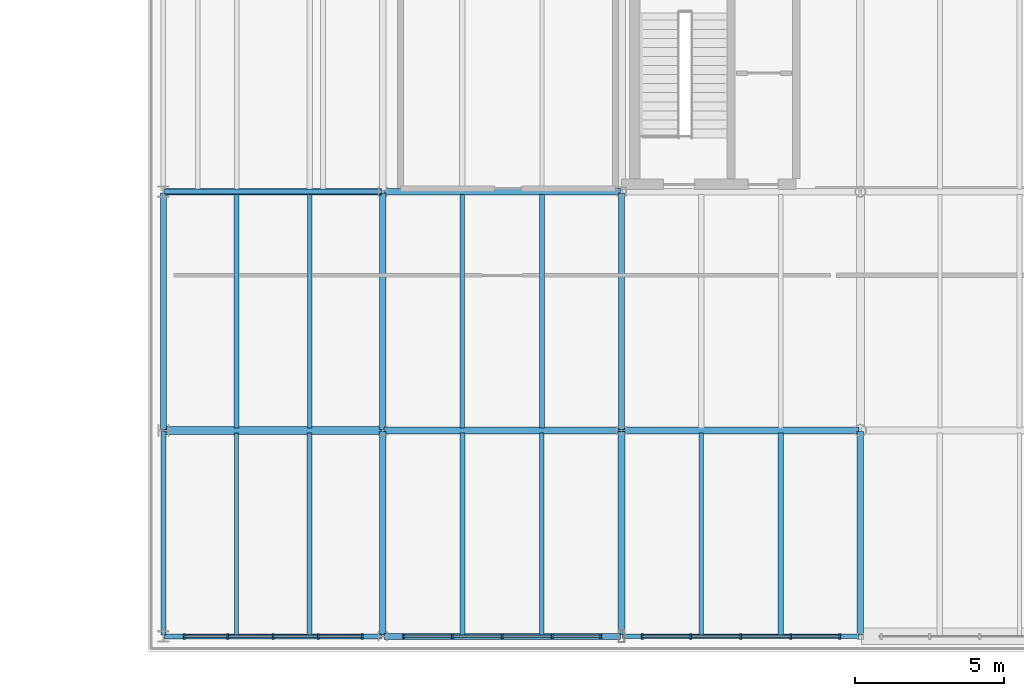
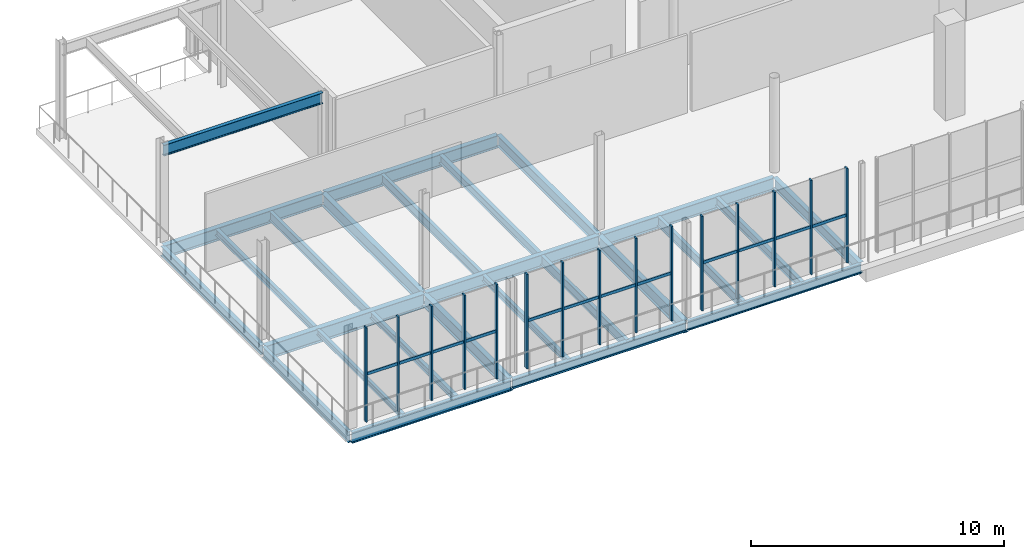
# One storey, part 29 of 70: 27 members, 26 beams, 3 elements without a shape of their own.
"""IFC4 building model written with IfcOpenShell, lengths in metres."""

from ifc_helpers import new_model, si_unit, direction, frame, origin, origin_2d, place, context, subcontext, project, spatial, rectangle, i_section, extrude, material, material_profile, profile_set, type_object, element, aggregate, save


model = new_model("IFC4")

# Units and contexts
model_context = context("Model", 3, precision=1e-05, world=origin(), true_north=direction((0.0, 1.0)))
body_context = subcontext(model_context, "Body", "Model", "MODEL_VIEW")
ifc_project = project(units=[si_unit("LENGTHUNIT", "METRE"), si_unit("AREAUNIT", "SQUARE_METRE"), si_unit("VOLUMEUNIT", "CUBIC_METRE"), si_unit("PLANEANGLEUNIT", "RADIAN"), si_unit("MASSUNIT", "GRAM", prefix="KILO")], contexts=[model_context])

# Site, building, storey
site_placement = place(None, origin())
site = spatial("IfcSite", under=ifc_project, at=site_placement, CompositionType="ELEMENT")
building_placement = place(site_placement, origin())
building = spatial("IfcBuilding", under=site, at=building_placement, Name="Brisemont Oceanarium", CompositionType="ELEMENT")
storey_placement = place(building_placement, frame((0.0, 0.0, 10.199951171875)))
storey = spatial("IfcBuildingStorey", under=building, at=storey_placement, Name="L02", CompositionType="ELEMENT", Elevation=10.199951171875)

# Beams
ifc_material_1 = material(Name="Structural Steel ASTM A992 Gr.50", Category="steel")
ifc_material_profile_1 = material_profile(ifc_material_1, i_section(OverallWidth=0.14599609375, OverallDepth=0.259033203125, WebThickness=0.006103515625, FlangeThickness=0.009033203125, FilletRadius=0.008056640625, at=origin_2d()), Name="W10X22")
ifc_profile_set_1 = profile_set([ifc_material_profile_1], Name="Structural Steel ASTM A992 Gr.50")
beam_type_1 = type_object("IfcBeamType", Name="BM-W10X22", PredefinedType="LINTEL", material=ifc_profile_set_1)
beam_1_placement = place(storey_placement, frame((115.10009765625, 1.139892578125, -0.409423828125), z_axis=(0.0, 1.0, 0.0), x_axis=(-1.0, 0.0, 0.0)))
element("IfcBeam", 1, at=beam_1_placement, inside=storey, type_object=beam_type_1, Name="V3 L02 secondary floor beam", PredefinedType="LINTEL", context=body_context, shape_type="SweptSolid", body=[
    extrude(i_section(OverallWidth=0.14599609375, OverallDepth=0.259033203125, WebThickness=0.006103515625, FlangeThickness=0.009033203125, FilletRadius=0.008056640625, at=origin_2d()), origin(), (0.0, 0.0, 1.0), 6.77001953125),
])
ifc_material_2 = material(Name="Structural Steel ASTM A992 Gr.50", Category="steel")
ifc_material_profile_2 = material_profile(ifc_material_2, i_section(OverallWidth=0.1650390625, OverallDepth=0.31005859375, WebThickness=0.005859375, FlangeThickness=0.009765625, FilletRadius=0.008056640625, at=origin_2d()), Name="W12X26")
ifc_profile_set_2 = profile_set([ifc_material_profile_2], Name="Structural Steel ASTM A992 Gr.50")
beam_type_2 = type_object("IfcBeamType", Name="BM-W12X26", PredefinedType="JOIST", material=ifc_profile_set_2)
beam_2_placement = place(storey_placement, frame((117.550048828125, 1.139892578125, -0.43505859375), z_axis=(0.0, 1.0, 0.0), x_axis=(-1.0, 0.0, 0.0)))
element("IfcBeam", 2, at=beam_2_placement, inside=storey, type_object=beam_type_2, Name="V3 L02 secondary floor beam", PredefinedType="JOIST", context=body_context, shape_type="SweptSolid", body=[
    extrude(i_section(OverallWidth=0.1650390625, OverallDepth=0.31005859375, WebThickness=0.005859375, FlangeThickness=0.009765625, FilletRadius=0.008056640625, at=origin_2d()), origin(), (0.0, 0.0, 1.0), 6.77001953125),
])
beam_3_placement = place(storey_placement, frame((115.10009765625, 8.090087890625, -0.43505859375), z_axis=(0.0, 1.0, 0.0), x_axis=(-1.0, 0.0, 0.0)))
element("IfcBeam", 3, at=beam_3_placement, inside=storey, type_object=beam_type_2, Name="V3 L02 secondary floor beam", PredefinedType="JOIST", context=body_context, shape_type="SweptSolid", body=[
    extrude(i_section(OverallWidth=0.1650390625, OverallDepth=0.31005859375, WebThickness=0.005859375, FlangeThickness=0.009765625, FilletRadius=0.008056640625, at=origin_2d()), origin(), (0.0, 0.0, 1.0), 7.81982421875),
])
beam_4_placement = place(storey_placement, frame((122.666748046875, 1.139892578125, -0.43505859375), z_axis=(0.0, 1.0, 0.0), x_axis=(-1.0, 0.0, 0.0)))
element("IfcBeam", 4, at=beam_4_placement, inside=storey, type_object=beam_type_2, Name="V3 L02 secondary floor beam", PredefinedType="JOIST", context=body_context, shape_type="SweptSolid", body=[
    extrude(i_section(OverallWidth=0.1650390625, OverallDepth=0.31005859375, WebThickness=0.005859375, FlangeThickness=0.009765625, FilletRadius=0.008056640625, at=origin_2d()), origin(), (0.0, 0.0, 1.0), 6.77001953125),
])
ifc_material_3 = material(Name="Structural Steel ASTM A992 Gr.50", Category="steel")
ifc_material_profile_3 = material_profile(ifc_material_3, i_section(OverallWidth=0.177978515625, OverallDepth=0.404052734375, WebThickness=0.007568359375, FlangeThickness=0.010986328125, FilletRadius=0.010009765625, at=origin_2d()), Name="W16X36")
ifc_profile_set_3 = profile_set([ifc_material_profile_3], Name="Structural Steel ASTM A992 Gr.50")
beam_type_3 = type_object("IfcBeamType", Name="BM-W16X36", PredefinedType="JOIST", material=ifc_profile_set_3)
beam_5_placement = place(storey_placement, frame((125.333251953125, 8.090087890625, -0.48193359375), z_axis=(0.0, 1.0, 0.0), x_axis=(-1.0, 0.0, 0.0)))
element("IfcBeam", 5, at=beam_5_placement, inside=storey, type_object=beam_type_3, Name="V3 L02 secondary floor beam", PredefinedType="JOIST", context=body_context, shape_type="SweptSolid", body=[
    extrude(i_section(OverallWidth=0.177978515625, OverallDepth=0.404052734375, WebThickness=0.007568359375, FlangeThickness=0.010986328125, FilletRadius=0.010009765625, at=origin_2d()), origin(), (0.0, 0.0, 1.0), 7.81982421875),
])
beam_6_placement = place(storey_placement, frame((133.333251953125, 1.139892578125, -0.48193359375), z_axis=(0.0, 1.0, 0.0), x_axis=(-1.0, 0.0, 0.0)))
element("IfcBeam", 6, at=beam_6_placement, inside=storey, type_object=beam_type_3, Name="V3 L02 secondary floor beam", PredefinedType="JOIST", context=body_context, shape_type="SweptSolid", body=[
    extrude(i_section(OverallWidth=0.177978515625, OverallDepth=0.404052734375, WebThickness=0.007568359375, FlangeThickness=0.010986328125, FilletRadius=0.010009765625, at=origin_2d()), origin(), (0.0, 0.0, 1.0), 6.77001953125),
])
ifc_material_4 = material(Name="Structural Steel ASTM A992 Gr.50", Category="steel")
ifc_material_profile_4 = material_profile(ifc_material_4, i_section(OverallWidth=0.153076171875, OverallDepth=0.455078125, WebThickness=0.008056640625, FlangeThickness=0.01318359375, FilletRadius=0.010986328125, at=origin_2d()), Name="W18X40")
ifc_profile_set_4 = profile_set([ifc_material_profile_4], Name="Structural Steel ASTM A992 Gr.50")
beam_type_4 = type_object("IfcBeamType", Name="BM-W18X40", PredefinedType="JOIST", material=ifc_profile_set_4)
beam_7_placement = place(storey_placement, frame((117.550048828125, 8.090087890625, -0.507568359375), z_axis=(0.0, 1.0, 0.0), x_axis=(-1.0, 0.0, 0.0)))
element("IfcBeam", 7, at=beam_7_placement, inside=storey, type_object=beam_type_4, Name="V3 L02 secondary floor beam", PredefinedType="JOIST", context=body_context, shape_type="SweptSolid", body=[
    extrude(i_section(OverallWidth=0.153076171875, OverallDepth=0.455078125, WebThickness=0.008056640625, FlangeThickness=0.01318359375, FilletRadius=0.010986328125, at=origin_2d()), origin(), (0.0, 0.0, 1.0), 7.81982421875),
])
beam_8_placement = place(storey_placement, frame((125.333251953125, 1.139892578125, -0.507568359375), z_axis=(0.0, 1.0, 0.0), x_axis=(-1.0, 0.0, 0.0)))
element("IfcBeam", 8, at=beam_8_placement, inside=storey, type_object=beam_type_4, Name="V3 L02 secondary floor beam", PredefinedType="JOIST", context=body_context, shape_type="SweptSolid", body=[
    extrude(i_section(OverallWidth=0.153076171875, OverallDepth=0.455078125, WebThickness=0.008056640625, FlangeThickness=0.01318359375, FilletRadius=0.010986328125, at=origin_2d()), origin(), (0.0, 0.0, 1.0), 6.77001953125),
])
beam_9_placement = place(storey_placement, frame((122.666748046875, 8.090087890625, -0.507568359375), z_axis=(0.0, 1.0, 0.0), x_axis=(-1.0, 0.0, 0.0)))
element("IfcBeam", 9, at=beam_9_placement, inside=storey, type_object=beam_type_4, Name="V3 L02 secondary floor beam", PredefinedType="JOIST", context=body_context, shape_type="SweptSolid", body=[
    extrude(i_section(OverallWidth=0.153076171875, OverallDepth=0.455078125, WebThickness=0.008056640625, FlangeThickness=0.01318359375, FilletRadius=0.010986328125, at=origin_2d()), origin(), (0.0, 0.0, 1.0), 7.81982421875),
])
beam_10_placement = place(storey_placement, frame((130.666748046875, 1.139892578125, -0.507568359375), z_axis=(0.0, 1.0, 0.0), x_axis=(-1.0, 0.0, 0.0)))
element("IfcBeam", 10, at=beam_10_placement, inside=storey, type_object=beam_type_4, Name="V3 L02 secondary floor beam", PredefinedType="JOIST", context=body_context, shape_type="SweptSolid", body=[
    extrude(i_section(OverallWidth=0.153076171875, OverallDepth=0.455078125, WebThickness=0.008056640625, FlangeThickness=0.01318359375, FilletRadius=0.010986328125, at=origin_2d()), origin(), (0.0, 0.0, 1.0), 6.77001953125),
])
ifc_material_5 = material(Name="Structural Steel ASTM A992 Gr.50", Category="steel")
ifc_material_profile_5 = material_profile(ifc_material_5, i_section(OverallWidth=0.154052734375, OverallDepth=0.458984375, WebThickness=0.009033203125, FlangeThickness=0.015380859375, FilletRadius=0.010986328125, at=origin_2d()), Name="W18X46")
ifc_profile_set_5 = profile_set([ifc_material_profile_5], Name="Structural Steel ASTM A992 Gr.50")
beam_type_5 = type_object("IfcBeamType", Name="BM-W18X46", PredefinedType="SPANDREL", material=ifc_profile_set_5)
beam_11_placement = place(storey_placement, frame((128.0400390625, 1.10009765625, -0.509521484375), z_axis=(1.0, 0.0, 0.0), x_axis=(0.0, 1.0, 0.0)))
element("IfcBeam", 11, at=beam_11_placement, inside=storey, type_object=beam_type_5, Name="V3 L02 EW girder", PredefinedType="SPANDREL", context=body_context, shape_type="SweptSolid", body=[
    extrude(i_section(OverallWidth=0.154052734375, OverallDepth=0.458984375, WebThickness=0.009033203125, FlangeThickness=0.015380859375, FilletRadius=0.010986328125, at=origin_2d()), origin(), (0.0, 0.0, 1.0), 7.919921875),
])
ifc_material_6 = material(Name="Structural Steel ASTM A992 Gr.50", Category="steel")
ifc_material_profile_6 = material_profile(ifc_material_6, i_section(OverallWidth=0.19091796875, OverallDepth=0.4599609375, WebThickness=0.010009765625, FlangeThickness=0.01611328125, FilletRadius=0.010986328125, at=origin_2d()), Name="W18X55")
ifc_profile_set_6 = profile_set([ifc_material_profile_6], Name="Structural Steel ASTM A992 Gr.50")
beam_type_6 = type_object("IfcBeamType", Name="BM-W18X55", PredefinedType="SPANDREL", material=ifc_profile_set_6)
for number, where, z_axis, x_axis, name in (
    (12, (120.0400390625, 1.10009765625, -0.510009765625), (1.0, 0.0, 0.0), (0.0, 1.0, 0.0), "V3 L02 EW girder"),
    (13, (112.64990234375, 8.0400390625, -0.510009765625), (0.0, 1.0, 0.0), (-1.0, 0.0, 0.0), "V3 L02 NS girder"),
):
    element("IfcBeam", number, at=place(storey_placement, frame(where, z_axis=z_axis, x_axis=x_axis)), inside=storey, type_object=beam_type_6, Name=name, PredefinedType="SPANDREL", context=body_context, shape_type="SweptSolid", body=[
        extrude(i_section(OverallWidth=0.19091796875, OverallDepth=0.4599609375, WebThickness=0.010009765625, FlangeThickness=0.01611328125, FilletRadius=0.010986328125, at=origin_2d()), origin(), (0.0, 0.0, 1.0), 7.919921875),
    ])
ifc_material_7 = material(Name="Structural Steel ASTM A992 Gr.50", Category="steel")
ifc_material_profile_7 = material_profile(ifc_material_7, i_section(OverallWidth=0.166015625, OverallDepth=0.528076171875, WebThickness=0.009765625, FlangeThickness=0.013671875, FilletRadius=0.012939453125, at=origin_2d()), Name="W21X50")
ifc_profile_set_7 = profile_set([ifc_material_profile_7], Name="Structural Steel ASTM A992 Gr.50")
beam_type_7 = type_object("IfcBeamType", Name="BM-W21X50", PredefinedType="SPANDREL", material=ifc_profile_set_7)
beam_12_placement = place(storey_placement, frame((112.68994140625, 1.10009765625, -0.5439453125), z_axis=(1.0, 0.0, 0.0), x_axis=(0.0, 1.0, 0.0)))
element("IfcBeam", 14, at=beam_12_placement, inside=storey, type_object=beam_type_7, Name="V3 L02 EW girder", PredefinedType="SPANDREL", context=body_context, shape_type="SweptSolid", body=[
    extrude(i_section(OverallWidth=0.166015625, OverallDepth=0.528076171875, WebThickness=0.009765625, FlangeThickness=0.013671875, FilletRadius=0.012939453125, at=origin_2d()), origin(), (0.0, 0.0, 1.0), 7.27001953125),
])
beam_13_placement = place(storey_placement, frame((112.64990234375, 1.139892578125, -0.5439453125), z_axis=(0.0, 1.0, 0.0), x_axis=(-1.0, 0.0, 0.0)))
element("IfcBeam", 15, at=beam_13_placement, inside=storey, type_object=beam_type_7, Name="V3 L02 NS girder", PredefinedType="SPANDREL", context=body_context, shape_type="SweptSolid", body=[
    extrude(i_section(OverallWidth=0.166015625, OverallDepth=0.528076171875, WebThickness=0.009765625, FlangeThickness=0.013671875, FilletRadius=0.012939453125, at=origin_2d()), origin(), (0.0, 0.0, 1.0), 6.820068359375),
])
beam_14_placement = place(storey_placement, frame((112.68994140625, 16.0, 4.296142578125), z_axis=(1.0, 0.0, 0.0), x_axis=(0.0, 1.0, 0.0)))
element("IfcBeam", 16, at=beam_14_placement, inside=storey, type_object=beam_type_7, Name="Skylight roof support girder 4", PredefinedType="SPANDREL", context=body_context, shape_type="SweptSolid", body=[
    extrude(i_section(OverallWidth=0.166015625, OverallDepth=0.528076171875, WebThickness=0.009765625, FlangeThickness=0.013671875, FilletRadius=0.012939453125, at=origin_2d()), origin(), (0.0, 0.0, 1.0), 7.27001953125),
])
ifc_material_8 = material(Name="Structural Steel ASTM A992 Gr.50", Category="steel")
ifc_material_profile_8 = material_profile(ifc_material_8, i_section(OverallWidth=0.2099609375, OverallDepth=0.532958984375, WebThickness=0.01025390625, FlangeThickness=0.015625, FilletRadius=0.012939453125, at=origin_2d()), Name="W21X62")
ifc_profile_set_8 = profile_set([ifc_material_profile_8], Name="Structural Steel ASTM A992 Gr.50")
beam_type_8 = type_object("IfcBeamType", Name="BM-W21X62", PredefinedType="BEAM", material=ifc_profile_set_8)
beam_15_placement = place(storey_placement, frame((128.0, 8.0400390625, -0.54638671875), z_axis=(0.0, 1.0, 0.0), x_axis=(-1.0, 0.0, 0.0)))
element("IfcBeam", 17, at=beam_15_placement, inside=storey, type_object=beam_type_8, Name="V3 L02 NS girder", PredefinedType="BEAM", context=body_context, shape_type="SweptSolid", body=[
    extrude(i_section(OverallWidth=0.2099609375, OverallDepth=0.532958984375, WebThickness=0.01025390625, FlangeThickness=0.015625, FilletRadius=0.012939453125, at=origin_2d()), origin(), (0.0, 0.0, 1.0), 7.919921875),
])
beam_16_placement = place(storey_placement, frame((136.0, 1.139892578125, -0.54638671875), z_axis=(0.0, 1.0, 0.0), x_axis=(-1.0, 0.0, 0.0)))
element("IfcBeam", 18, at=beam_16_placement, inside=storey, type_object=beam_type_8, Name="V3 L02 NS girder", PredefinedType="BEAM", context=body_context, shape_type="SweptSolid", body=[
    extrude(i_section(OverallWidth=0.2099609375, OverallDepth=0.532958984375, WebThickness=0.01025390625, FlangeThickness=0.015625, FilletRadius=0.012939453125, at=origin_2d()), origin(), (0.0, 0.0, 1.0), 6.820068359375),
])
ifc_material_9 = material(Name="Structural Steel ASTM A992 Gr.50", Category="steel")
ifc_material_profile_9 = material_profile(ifc_material_9, i_section(OverallWidth=0.22802734375, OverallDepth=0.60205078125, WebThickness=0.010498046875, FlangeThickness=0.014892578125, FilletRadius=0.012939453125, at=origin_2d()), Name="W24X68")
ifc_profile_set_9 = profile_set([ifc_material_profile_9], Name="Structural Steel ASTM A992 Gr.50")
beam_type_9 = type_object("IfcBeamType", Name="BM-W24X68", PredefinedType="BEAM", material=ifc_profile_set_9)
beam_17_placement = place(storey_placement, frame((120.0, 8.0400390625, -0.5810546875), z_axis=(0.0, 1.0, 0.0), x_axis=(-1.0, 0.0, 0.0)))
element("IfcBeam", 19, at=beam_17_placement, inside=storey, type_object=beam_type_9, Name="V3 L02 NS girder", PredefinedType="BEAM", context=body_context, shape_type="SweptSolid", body=[
    extrude(i_section(OverallWidth=0.22802734375, OverallDepth=0.60205078125, WebThickness=0.010498046875, FlangeThickness=0.014892578125, FilletRadius=0.012939453125, at=origin_2d()), origin(), (0.0, 0.0, 1.0), 7.919921875),
])
beam_18_placement = place(storey_placement, frame((128.0, 1.139892578125, -0.5810546875), z_axis=(0.0, 1.0, 0.0), x_axis=(-1.0, 0.0, 0.0)))
element("IfcBeam", 20, at=beam_18_placement, inside=storey, type_object=beam_type_9, Name="V3 L02 NS girder", PredefinedType="BEAM", context=body_context, shape_type="SweptSolid", body=[
    extrude(i_section(OverallWidth=0.22802734375, OverallDepth=0.60205078125, WebThickness=0.010498046875, FlangeThickness=0.014892578125, FilletRadius=0.012939453125, at=origin_2d()), origin(), (0.0, 0.0, 1.0), 6.820068359375),
])
ifc_material_10 = material(Name="Structural Steel ASTM A992 Gr.50", Category="steel")
ifc_material_profile_10 = material_profile(ifc_material_10, i_section(OverallWidth=0.22802734375, OverallDepth=0.60791015625, WebThickness=0.01123046875, FlangeThickness=0.017333984375, FilletRadius=0.012939453125, at=origin_2d()), Name="W24X76")
ifc_profile_set_10 = profile_set([ifc_material_profile_10], Name="Structural Steel ASTM A992 Gr.50")
beam_type_10 = type_object("IfcBeamType", Name="BM-W24X76", PredefinedType="BEAM", material=ifc_profile_set_10)
for number, where, z_axis, x_axis, name in (
    (21, (128.0400390625, 8.0, -0.583984375), (1.0, 0.0, 0.0), (0.0, 1.0, 0.0), "V3 L02 EW girder"),
    (22, (120.0400390625, 16.0, -0.583984375), (1.0, 0.0, 0.0), (0.0, 1.0, 0.0), "V3 L02 EW girder"),
):
    element("IfcBeam", number, at=place(storey_placement, frame(where, z_axis=z_axis, x_axis=x_axis)), inside=storey, type_object=beam_type_10, Name=name, PredefinedType="BEAM", context=body_context, shape_type="SweptSolid", body=[
        extrude(i_section(OverallWidth=0.22802734375, OverallDepth=0.60791015625, WebThickness=0.01123046875, FlangeThickness=0.017333984375, FilletRadius=0.012939453125, at=origin_2d()), origin(), (0.0, 0.0, 1.0), 7.919921875),
    ])
beam_19_placement = place(storey_placement, frame((120.0, 1.139892578125, -0.583984375), z_axis=(0.0, 1.0, 0.0), x_axis=(-1.0, 0.0, 0.0)))
element("IfcBeam", 23, at=beam_19_placement, inside=storey, type_object=beam_type_10, Name="V3 L02 NS girder", PredefinedType="BEAM", context=body_context, shape_type="SweptSolid", body=[
    extrude(i_section(OverallWidth=0.22802734375, OverallDepth=0.60791015625, WebThickness=0.01123046875, FlangeThickness=0.017333984375, FilletRadius=0.012939453125, at=origin_2d()), origin(), (0.0, 0.0, 1.0), 6.820068359375),
])
ifc_material_11 = material(Name="Structural Steel ASTM A992 Gr.50", Category="steel")
ifc_material_profile_11 = material_profile(ifc_material_11, i_section(OverallWidth=0.22900390625, OverallDepth=0.612060546875, WebThickness=0.011962890625, FlangeThickness=0.01953125, FilletRadius=0.012939453125, at=origin_2d()), Name="W24X84")
ifc_profile_set_11 = profile_set([ifc_material_profile_11], Name="Structural Steel ASTM A992 Gr.50")
beam_type_11 = type_object("IfcBeamType", Name="BM-W24X84", PredefinedType="BEAM", material=ifc_profile_set_11)
beam_20_placement = place(storey_placement, frame((120.0400390625, 8.0, -0.5859375), z_axis=(1.0, 0.0, 0.0), x_axis=(0.0, 1.0, 0.0)))
element("IfcBeam", 24, at=beam_20_placement, inside=storey, type_object=beam_type_11, Name="V3 L02 EW girder", PredefinedType="BEAM", context=body_context, shape_type="SweptSolid", body=[
    extrude(i_section(OverallWidth=0.22900390625, OverallDepth=0.612060546875, WebThickness=0.011962890625, FlangeThickness=0.01953125, FilletRadius=0.012939453125, at=origin_2d()), origin(), (0.0, 0.0, 1.0), 7.919921875),
])
beam_21_placement = place(storey_placement, frame((112.68994140625, 16.0, -0.5859375), z_axis=(1.0, 0.0, 0.0), x_axis=(0.0, 1.0, 0.0)))
element("IfcBeam", 25, at=beam_21_placement, inside=storey, type_object=beam_type_11, Name="V3 L02 EW girder", PredefinedType="BEAM", context=body_context, shape_type="SweptSolid", body=[
    extrude(i_section(OverallWidth=0.22900390625, OverallDepth=0.612060546875, WebThickness=0.011962890625, FlangeThickness=0.01953125, FilletRadius=0.012939453125, at=origin_2d()), origin(), (0.0, 0.0, 1.0), 7.27001953125),
])
ifc_material_12 = material(Name="Structural Steel ASTM A992 Gr.50", Category="steel")
ifc_material_profile_12 = material_profile(ifc_material_12, i_section(OverallWidth=0.2529296875, OverallDepth=0.677978515625, WebThickness=0.01171875, FlangeThickness=0.016357421875, FilletRadius=0.014892578125, at=origin_2d()), Name="W27X84")
ifc_profile_set_12 = profile_set([ifc_material_profile_12], Name="Structural Steel ASTM A992 Gr.50")
beam_type_12 = type_object("IfcBeamType", Name="BM-W27X84", PredefinedType="BEAM", material=ifc_profile_set_12)
beam_22_placement = place(storey_placement, frame((112.68994140625, 8.0, -0.618896484375), z_axis=(1.0, 0.0, 0.0), x_axis=(0.0, 1.0, 0.0)))
element("IfcBeam", 26, at=beam_22_placement, inside=storey, type_object=beam_type_12, Name="V3 L02 EW girder", PredefinedType="BEAM", context=body_context, shape_type="SweptSolid", body=[
    extrude(i_section(OverallWidth=0.2529296875, OverallDepth=0.677978515625, WebThickness=0.01171875, FlangeThickness=0.016357421875, FilletRadius=0.014892578125, at=origin_2d()), origin(), (0.0, 0.0, 1.0), 7.27001953125),
])

# Curtain wall, members
ifc_material_13 = material(Name="Anodized Extruded Aluminum 6063-T6", Category="aluminium")
curtain_wall_type = type_object("IfcCurtainWallType", Name="CW-EDU-69X43", PredefinedType="NOTDEFINED", material=ifc_material_13)
curtain_wall_1_placement = place(storey_placement, origin())
curtain_wall_1 = element("IfcCurtainWall", 27, at=curtain_wall_1_placement, inside=storey, type_object=curtain_wall_type, Name="CW-09 curtain wall CW-V3-S-L02-01", PredefinedType="NOTDEFINED")
ifc_material_14 = material(Name="Anodized Extruded Aluminum 6063-T6", Category="aluminium")
ifc_material_profile_13 = material_profile(ifc_material_14, rectangle(XDim=0.06494140625, YDim=0.179931640625, at=origin_2d()), Name="CWM-65X180")
ifc_profile_set_13 = profile_set([ifc_material_profile_13], Name="Anodized Extruded Aluminum 6063-T6")
member_type_1 = type_object("IfcMemberType", Name="MEM-CWM-65", PredefinedType="MULLION", material=ifc_profile_set_13)
member_1_placement = place(storey_placement, frame((113.344970703125, 1.10009765625, 0.0), z_axis=(0.0, 0.0, 1.0), x_axis=(1.0, 0.0, 0.0)))
member_1 = element("IfcMember", 28, at=member_1_placement, type_object=member_type_1, Name="CW-V3-S-L02-01 mullion 1", PredefinedType="MULLION", context=body_context, shape_type="SweptSolid", body=[
    extrude(rectangle(XDim=0.06494140625, YDim=0.179931640625, at=origin_2d()), origin(), (0.0, 0.0, 1.0), 4.56005859375),
])
member_2_placement = place(storey_placement, frame((114.8125, 1.10009765625, 0.0), z_axis=(0.0, 0.0, 1.0), x_axis=(1.0, 0.0, 0.0)))
member_2 = element("IfcMember", 29, at=member_2_placement, type_object=member_type_1, Name="CW-V3-S-L02-01 mullion 2", PredefinedType="MULLION", context=body_context, shape_type="SweptSolid", body=[
    extrude(rectangle(XDim=0.06494140625, YDim=0.179931640625, at=origin_2d()), origin(), (0.0, 0.0, 1.0), 4.56005859375),
])
member_3_placement = place(storey_placement, frame((116.324951171875, 1.10009765625, 0.0), z_axis=(0.0, 0.0, 1.0), x_axis=(1.0, 0.0, 0.0)))
member_3 = element("IfcMember", 30, at=member_3_placement, type_object=member_type_1, Name="CW-V3-S-L02-01 mullion 3", PredefinedType="MULLION", context=body_context, shape_type="SweptSolid", body=[
    extrude(rectangle(XDim=0.06494140625, YDim=0.179931640625, at=origin_2d()), origin(), (0.0, 0.0, 1.0), 4.56005859375),
])
member_4_placement = place(storey_placement, frame((117.83740234375, 1.10009765625, 0.0), z_axis=(0.0, 0.0, 1.0), x_axis=(1.0, 0.0, 0.0)))
member_4 = element("IfcMember", 31, at=member_4_placement, type_object=member_type_1, Name="CW-V3-S-L02-01 mullion 4", PredefinedType="MULLION", context=body_context, shape_type="SweptSolid", body=[
    extrude(rectangle(XDim=0.06494140625, YDim=0.179931640625, at=origin_2d()), origin(), (0.0, 0.0, 1.0), 4.56005859375),
])
member_5_placement = place(storey_placement, frame((119.304931640625, 1.10009765625, 0.0), z_axis=(0.0, 0.0, 1.0), x_axis=(1.0, 0.0, 0.0)))
member_5 = element("IfcMember", 32, at=member_5_placement, type_object=member_type_1, Name="CW-V3-S-L02-01 mullion 5", PredefinedType="MULLION", context=body_context, shape_type="SweptSolid", body=[
    extrude(rectangle(XDim=0.06494140625, YDim=0.179931640625, at=origin_2d()), origin(), (0.0, 0.0, 1.0), 4.56005859375),
])

curtain_wall_2_placement = place(storey_placement, origin())
curtain_wall_2 = element("IfcCurtainWall", 33, at=curtain_wall_2_placement, inside=storey, type_object=curtain_wall_type, Name="CW-09 curtain wall CW-V3-S-L02-02", PredefinedType="NOTDEFINED")
member_6_placement = place(storey_placement, frame((120.695068359375, 1.10009765625, 0.0), z_axis=(0.0, 0.0, 1.0), x_axis=(1.0, 0.0, 0.0)))
member_6 = element("IfcMember", 34, at=member_6_placement, type_object=member_type_1, Name="CW-V3-S-L02-02 mullion 1", PredefinedType="MULLION", context=body_context, shape_type="SweptSolid", body=[
    extrude(rectangle(XDim=0.06494140625, YDim=0.179931640625, at=origin_2d()), origin(), (0.0, 0.0, 1.0), 4.56005859375),
])
member_7_placement = place(storey_placement, frame((122.324951171875, 1.10009765625, 0.0), z_axis=(0.0, 0.0, 1.0), x_axis=(1.0, 0.0, 0.0)))
member_7 = element("IfcMember", 35, at=member_7_placement, type_object=member_type_1, Name="CW-V3-S-L02-02 mullion 2", PredefinedType="MULLION", context=body_context, shape_type="SweptSolid", body=[
    extrude(rectangle(XDim=0.06494140625, YDim=0.179931640625, at=origin_2d()), origin(), (0.0, 0.0, 1.0), 4.56005859375),
])
member_8_placement = place(storey_placement, frame((124.0, 1.10009765625, 0.0), z_axis=(0.0, 0.0, 1.0), x_axis=(1.0, 0.0, 0.0)))
member_8 = element("IfcMember", 36, at=member_8_placement, type_object=member_type_1, Name="CW-V3-S-L02-02 mullion 3", PredefinedType="MULLION", context=body_context, shape_type="SweptSolid", body=[
    extrude(rectangle(XDim=0.06494140625, YDim=0.179931640625, at=origin_2d()), origin(), (0.0, 0.0, 1.0), 4.56005859375),
])
member_9_placement = place(storey_placement, frame((125.675048828125, 1.10009765625, 0.0), z_axis=(0.0, 0.0, 1.0), x_axis=(1.0, 0.0, 0.0)))
member_9 = element("IfcMember", 37, at=member_9_placement, type_object=member_type_1, Name="CW-V3-S-L02-02 mullion 4", PredefinedType="MULLION", context=body_context, shape_type="SweptSolid", body=[
    extrude(rectangle(XDim=0.06494140625, YDim=0.179931640625, at=origin_2d()), origin(), (0.0, 0.0, 1.0), 4.56005859375),
])
member_10_placement = place(storey_placement, frame((127.304931640625, 1.10009765625, 0.0), z_axis=(0.0, 0.0, 1.0), x_axis=(1.0, 0.0, 0.0)))
member_10 = element("IfcMember", 38, at=member_10_placement, type_object=member_type_1, Name="CW-V3-S-L02-02 mullion 5", PredefinedType="MULLION", context=body_context, shape_type="SweptSolid", body=[
    extrude(rectangle(XDim=0.06494140625, YDim=0.179931640625, at=origin_2d()), origin(), (0.0, 0.0, 1.0), 4.56005859375),
])

curtain_wall_3_placement = place(storey_placement, origin())
curtain_wall_3 = element("IfcCurtainWall", 39, at=curtain_wall_3_placement, inside=storey, type_object=curtain_wall_type, Name="CW-09 curtain wall CW-V3-S-L02-03", PredefinedType="NOTDEFINED")
member_11_placement = place(storey_placement, frame((128.695068359375, 1.10009765625, 0.0), z_axis=(0.0, 0.0, 1.0), x_axis=(1.0, 0.0, 0.0)))
member_11 = element("IfcMember", 40, at=member_11_placement, type_object=member_type_1, Name="CW-V3-S-L02-03 mullion 1", PredefinedType="MULLION", context=body_context, shape_type="SweptSolid", body=[
    extrude(rectangle(XDim=0.06494140625, YDim=0.179931640625, at=origin_2d()), origin(), (0.0, 0.0, 1.0), 4.56005859375),
])
member_12_placement = place(storey_placement, frame((130.324951171875, 1.10009765625, 0.0), z_axis=(0.0, 0.0, 1.0), x_axis=(1.0, 0.0, 0.0)))
member_12 = element("IfcMember", 41, at=member_12_placement, type_object=member_type_1, Name="CW-V3-S-L02-03 mullion 2", PredefinedType="MULLION", context=body_context, shape_type="SweptSolid", body=[
    extrude(rectangle(XDim=0.06494140625, YDim=0.179931640625, at=origin_2d()), origin(), (0.0, 0.0, 1.0), 4.56005859375),
])
member_13_placement = place(storey_placement, frame((132.0, 1.10009765625, 0.0), z_axis=(0.0, 0.0, 1.0), x_axis=(1.0, 0.0, 0.0)))
member_13 = element("IfcMember", 42, at=member_13_placement, type_object=member_type_1, Name="CW-V3-S-L02-03 mullion 3", PredefinedType="MULLION", context=body_context, shape_type="SweptSolid", body=[
    extrude(rectangle(XDim=0.06494140625, YDim=0.179931640625, at=origin_2d()), origin(), (0.0, 0.0, 1.0), 4.56005859375),
])
member_14_placement = place(storey_placement, frame((133.675048828125, 1.10009765625, 0.0), z_axis=(0.0, 0.0, 1.0), x_axis=(1.0, 0.0, 0.0)))
member_14 = element("IfcMember", 43, at=member_14_placement, type_object=member_type_1, Name="CW-V3-S-L02-03 mullion 4", PredefinedType="MULLION", context=body_context, shape_type="SweptSolid", body=[
    extrude(rectangle(XDim=0.06494140625, YDim=0.179931640625, at=origin_2d()), origin(), (0.0, 0.0, 1.0), 4.56005859375),
])
member_15_placement = place(storey_placement, frame((135.304931640625, 1.10009765625, 0.0), z_axis=(0.0, 0.0, 1.0), x_axis=(1.0, 0.0, 0.0)))
member_15 = element("IfcMember", 44, at=member_15_placement, type_object=member_type_1, Name="CW-V3-S-L02-03 mullion 5", PredefinedType="MULLION", context=body_context, shape_type="SweptSolid", body=[
    extrude(rectangle(XDim=0.06494140625, YDim=0.179931640625, at=origin_2d()), origin(), (0.0, 0.0, 1.0), 4.56005859375),
])

# Member
ifc_material_15 = material(Name="Anodized Extruded Aluminum 6063-T6", Category="aluminium")
ifc_material_profile_14 = material_profile(ifc_material_15, rectangle(XDim=0.06494140625, YDim=0.139892578125, at=origin_2d()), Name="CWT-65X140")
ifc_profile_set_14 = profile_set([ifc_material_profile_14], Name="Anodized Extruded Aluminum 6063-T6")
member_type_2 = type_object("IfcMemberType", Name="MEM-CWT-65", PredefinedType="USERDEFINED", material=ifc_profile_set_14)
member_16_placement = place(storey_placement, frame((113.31494140625, 1.10009765625, 2.280029296875), z_axis=(1.0, 0.0, 0.0), x_axis=(0.0, 1.0, 0.0)))
member_16 = element("IfcMember", 45, at=member_16_placement, type_object=member_type_2, Name="CW-V3-S-L02-01 transom 1.1", ObjectType="TRANSOM", PredefinedType="USERDEFINED", context=body_context, shape_type="SweptSolid", body=[
    extrude(rectangle(XDim=0.06494140625, YDim=0.139892578125, at=origin_2d()), origin(), (0.0, 0.0, 1.0), 1.482666015625),
])

member_17_placement = place(storey_placement, frame((114.827392578125, 1.10009765625, 2.280029296875), z_axis=(1.0, 0.0, 0.0), x_axis=(0.0, 1.0, 0.0)))
member_17 = element("IfcMember", 46, at=member_17_placement, type_object=member_type_2, Name="CW-V3-S-L02-01 transom 2.1", ObjectType="TRANSOM", PredefinedType="USERDEFINED", context=body_context, shape_type="SweptSolid", body=[
    extrude(rectangle(XDim=0.06494140625, YDim=0.139892578125, at=origin_2d()), origin(), (0.0, 0.0, 1.0), 1.482666015625),
])

member_18_placement = place(storey_placement, frame((116.340087890625, 1.10009765625, 2.280029296875), z_axis=(1.0, 0.0, 0.0), x_axis=(0.0, 1.0, 0.0)))
member_18 = element("IfcMember", 47, at=member_18_placement, type_object=member_type_2, Name="CW-V3-S-L02-01 transom 3.1", ObjectType="TRANSOM", PredefinedType="USERDEFINED", context=body_context, shape_type="SweptSolid", body=[
    extrude(rectangle(XDim=0.06494140625, YDim=0.139892578125, at=origin_2d()), origin(), (0.0, 0.0, 1.0), 1.482421875),
])

member_19_placement = place(storey_placement, frame((117.8525390625, 1.10009765625, 2.280029296875), z_axis=(1.0, 0.0, 0.0), x_axis=(0.0, 1.0, 0.0)))
member_19 = element("IfcMember", 48, at=member_19_placement, type_object=member_type_2, Name="CW-V3-S-L02-01 transom 4.1", ObjectType="TRANSOM", PredefinedType="USERDEFINED", context=body_context, shape_type="SweptSolid", body=[
    extrude(rectangle(XDim=0.06494140625, YDim=0.139892578125, at=origin_2d()), origin(), (0.0, 0.0, 1.0), 1.482421875),
])

aggregate(curtain_wall_1, [member_1, member_2, member_3, member_4, member_5, member_16, member_17, member_18, member_19])

member_20_placement = place(storey_placement, frame((120.6650390625, 1.10009765625, 2.280029296875), z_axis=(1.0, 0.0, 0.0), x_axis=(0.0, 1.0, 0.0)))
member_20 = element("IfcMember", 49, at=member_20_placement, type_object=member_type_2, Name="CW-V3-S-L02-02 transom 1.1", ObjectType="TRANSOM", PredefinedType="USERDEFINED", context=body_context, shape_type="SweptSolid", body=[
    extrude(rectangle(XDim=0.06494140625, YDim=0.139892578125, at=origin_2d()), origin(), (0.0, 0.0, 1.0), 1.64501953125),
])

member_21_placement = place(storey_placement, frame((122.340087890625, 1.10009765625, 2.280029296875), z_axis=(1.0, 0.0, 0.0), x_axis=(0.0, 1.0, 0.0)))
member_21 = element("IfcMember", 50, at=member_21_placement, type_object=member_type_2, Name="CW-V3-S-L02-02 transom 2.1", ObjectType="TRANSOM", PredefinedType="USERDEFINED", context=body_context, shape_type="SweptSolid", body=[
    extrude(rectangle(XDim=0.06494140625, YDim=0.139892578125, at=origin_2d()), origin(), (0.0, 0.0, 1.0), 1.64501953125),
])

member_22_placement = place(storey_placement, frame((124.014892578125, 1.10009765625, 2.280029296875), z_axis=(1.0, 0.0, 0.0), x_axis=(0.0, 1.0, 0.0)))
member_22 = element("IfcMember", 51, at=member_22_placement, type_object=member_type_2, Name="CW-V3-S-L02-02 transom 3.1", ObjectType="TRANSOM", PredefinedType="USERDEFINED", context=body_context, shape_type="SweptSolid", body=[
    extrude(rectangle(XDim=0.06494140625, YDim=0.139892578125, at=origin_2d()), origin(), (0.0, 0.0, 1.0), 1.64501953125),
])

member_23_placement = place(storey_placement, frame((125.68994140625, 1.10009765625, 2.280029296875), z_axis=(1.0, 0.0, 0.0), x_axis=(0.0, 1.0, 0.0)))
member_23 = element("IfcMember", 52, at=member_23_placement, type_object=member_type_2, Name="CW-V3-S-L02-02 transom 4.1", ObjectType="TRANSOM", PredefinedType="USERDEFINED", context=body_context, shape_type="SweptSolid", body=[
    extrude(rectangle(XDim=0.06494140625, YDim=0.139892578125, at=origin_2d()), origin(), (0.0, 0.0, 1.0), 1.64501953125),
])

aggregate(curtain_wall_2, [member_6, member_7, member_8, member_9, member_10, member_20, member_21, member_22, member_23])

member_24_placement = place(storey_placement, frame((128.6650390625, 1.10009765625, 2.280029296875), z_axis=(1.0, 0.0, 0.0), x_axis=(0.0, 1.0, 0.0)))
member_24 = element("IfcMember", 53, at=member_24_placement, type_object=member_type_2, Name="CW-V3-S-L02-03 transom 1.1", ObjectType="TRANSOM", PredefinedType="USERDEFINED", context=body_context, shape_type="SweptSolid", body=[
    extrude(rectangle(XDim=0.06494140625, YDim=0.139892578125, at=origin_2d()), origin(), (0.0, 0.0, 1.0), 1.64501953125),
])

member_25_placement = place(storey_placement, frame((130.340087890625, 1.10009765625, 2.280029296875), z_axis=(1.0, 0.0, 0.0), x_axis=(0.0, 1.0, 0.0)))
member_25 = element("IfcMember", 54, at=member_25_placement, type_object=member_type_2, Name="CW-V3-S-L02-03 transom 2.1", ObjectType="TRANSOM", PredefinedType="USERDEFINED", context=body_context, shape_type="SweptSolid", body=[
    extrude(rectangle(XDim=0.06494140625, YDim=0.139892578125, at=origin_2d()), origin(), (0.0, 0.0, 1.0), 1.64501953125),
])

member_26_placement = place(storey_placement, frame((132.014892578125, 1.10009765625, 2.280029296875), z_axis=(1.0, 0.0, 0.0), x_axis=(0.0, 1.0, 0.0)))
member_26 = element("IfcMember", 55, at=member_26_placement, type_object=member_type_2, Name="CW-V3-S-L02-03 transom 3.1", ObjectType="TRANSOM", PredefinedType="USERDEFINED", context=body_context, shape_type="SweptSolid", body=[
    extrude(rectangle(XDim=0.06494140625, YDim=0.139892578125, at=origin_2d()), origin(), (0.0, 0.0, 1.0), 1.64501953125),
])

member_27_placement = place(storey_placement, frame((133.68994140625, 1.10009765625, 2.280029296875), z_axis=(1.0, 0.0, 0.0), x_axis=(0.0, 1.0, 0.0)))
member_27 = element("IfcMember", 56, at=member_27_placement, type_object=member_type_2, Name="CW-V3-S-L02-03 transom 4.1", ObjectType="TRANSOM", PredefinedType="USERDEFINED", context=body_context, shape_type="SweptSolid", body=[
    extrude(rectangle(XDim=0.06494140625, YDim=0.139892578125, at=origin_2d()), origin(), (0.0, 0.0, 1.0), 1.64501953125),
])

aggregate(curtain_wall_3, [member_11, member_12, member_13, member_14, member_15, member_24, member_25, member_26, member_27])

save(model, "model.ifc")
